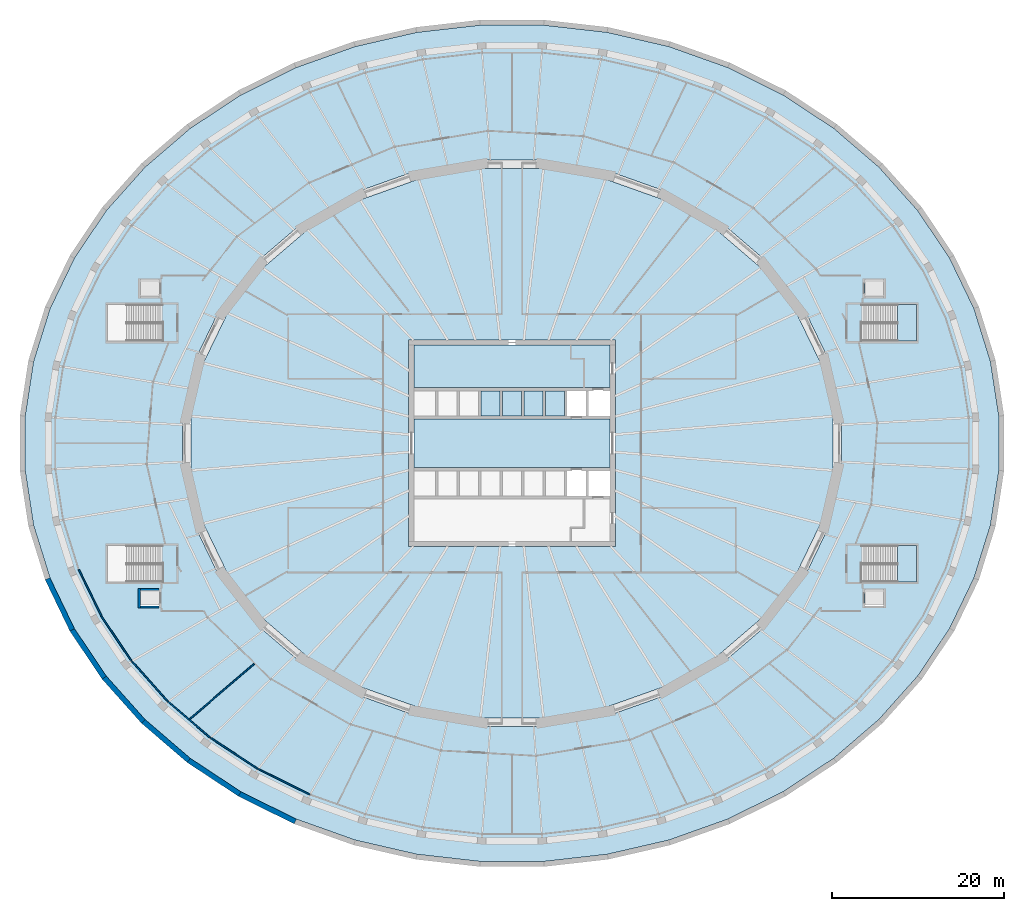
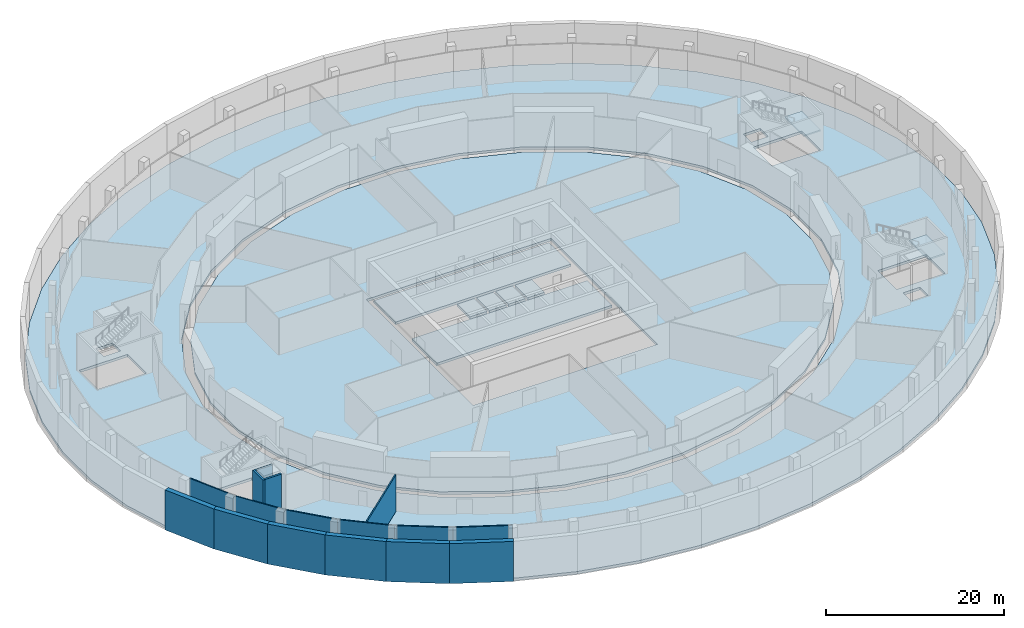
# One storey, part 4 of 14: 16 walls, 10 slabs, 2 elements without a shape of their own.
"""IFC4 building model written with IfcOpenShell, lengths in metres."""

from ifc_helpers import new_model, si_unit, direction, frame, frame_2d, origin, place, context, subcontext, project, spatial, polyline, rectangle, outline, extrude, material, layer, layer_set, type_object, element, aggregate, save


model = new_model("IFC4")

# Units and contexts
model_context = context("Model", 3, precision=1e-05, world=origin(), true_north=direction((0.0, 1.0)))
body_context = subcontext(model_context, "Body", "Model", "MODEL_VIEW")
ifc_project = project(units=[si_unit("LENGTHUNIT", "METRE"), si_unit("AREAUNIT", "SQUARE_METRE"), si_unit("VOLUMEUNIT", "CUBIC_METRE"), si_unit("PLANEANGLEUNIT", "RADIAN"), si_unit("MASSUNIT", "GRAM", prefix="KILO")], contexts=[model_context])

# Site, building, storey
site_placement = place(None, origin())
site = spatial("IfcSite", under=ifc_project, at=site_placement, CompositionType="ELEMENT")
building_placement = place(site_placement, origin())
building = spatial("IfcBuilding", under=site, at=building_placement, Name="Halqa Exchange Tower", CompositionType="ELEMENT")
storey_placement = place(building_placement, frame((0.0, 0.0, -9.5)))
storey = spatial("IfcBuildingStorey", under=building, at=storey_placement, Name="B2", CompositionType="ELEMENT", Elevation=-9.5)

# Slabs
ifc_material_1 = material(Name="Concrete C60/75", Category="concrete")
ifc_layer_1 = layer(ifc_material_1, 0.35009765625)
ifc_layer_set_1 = layer_set([ifc_layer_1], Name="Concrete C60/75")
slab_type_1 = type_object("IfcSlabType", Name="Core floor slab 350", PredefinedType="FLOOR", material=ifc_layer_set_1)
slab_1_placement = place(storey_placement, frame((0.0, 0.0, -0.35009765625)))
element("IfcSlab", 1, at=slab_1_placement, inside=storey, type_object=slab_type_1, Name="Core floor slab", PredefinedType="FLOOR", context=body_context, shape_type="SweptSolid", body=[
    extrude(outline(polyline([(11.39990234375, 2.800048828125), (11.39990234375, -2.800048828125), (-11.39990234375, -2.800048828125), (-11.39990234375, 2.800048828125), (11.39990234375, 2.800048828125)])), origin(), (0.0, 0.0, 1.0), 0.35009765625),
])
slab_2_placement = place(storey_placement, frame((0.0, 0.0, -0.35009765625)))
element("IfcSlab", 2, at=slab_2_placement, inside=storey, type_object=slab_type_1, Name="Core floor slab", PredefinedType="FLOOR", context=body_context, shape_type="SweptSolid", body=[
    extrude(outline(polyline([(11.39990234375, 11.39990234375), (11.39990234375, 6.5), (-11.39990234375, 6.5), (-11.39990234375, 11.39990234375), (11.39990234375, 11.39990234375)])), origin(), (0.0, 0.0, 1.0), 0.35009765625),
])
slab_3_placement = place(storey_placement, frame((0.0, 0.0, -0.35009765625)))
element("IfcSlab", 3, at=slab_3_placement, inside=storey, type_object=slab_type_1, Name="Core floor slab", PredefinedType="FLOOR", context=body_context, shape_type="SweptSolid", body=[
    extrude(outline(polyline([(-1.39990234375, 6.10009765625), (-1.39990234375, 3.199951171875), (-3.60009765625, 3.199951171875), (-3.60009765625, 6.10009765625), (-1.39990234375, 6.10009765625)])), origin(), (0.0, 0.0, 1.0), 0.35009765625),
])
slab_4_placement = place(storey_placement, frame((0.0, 0.0, -0.35009765625)))
element("IfcSlab", 4, at=slab_4_placement, inside=storey, type_object=slab_type_1, Name="Core floor slab", PredefinedType="FLOOR", context=body_context, shape_type="SweptSolid", body=[
    extrude(outline(polyline([(1.10009765625, 6.10009765625), (1.10009765625, 3.199951171875), (-1.10009765625, 3.199951171875), (-1.10009765625, 6.10009765625), (1.10009765625, 6.10009765625)])), origin(), (0.0, 0.0, 1.0), 0.35009765625),
])
slab_5_placement = place(storey_placement, frame((0.0, 0.0, -0.35009765625)))
element("IfcSlab", 5, at=slab_5_placement, inside=storey, type_object=slab_type_1, Name="Core floor slab", PredefinedType="FLOOR", context=body_context, shape_type="SweptSolid", body=[
    extrude(outline(polyline([(3.60009765625, 6.10009765625), (3.60009765625, 3.199951171875), (1.39990234375, 3.199951171875), (1.39990234375, 6.10009765625), (3.60009765625, 6.10009765625)])), origin(), (0.0, 0.0, 1.0), 0.35009765625),
])
slab_6_placement = place(storey_placement, frame((0.0, 0.0, -0.35009765625)))
element("IfcSlab", 6, at=slab_6_placement, inside=storey, type_object=slab_type_1, Name="Core floor slab", PredefinedType="FLOOR", context=body_context, shape_type="SweptSolid", body=[
    extrude(outline(polyline([(6.10009765625, 6.10009765625), (6.10009765625, 3.199951171875), (3.89990234375, 3.199951171875), (3.89990234375, 6.10009765625), (6.10009765625, 6.10009765625)])), origin(), (0.0, 0.0, 1.0), 0.35009765625),
])
ifc_material_2 = material(Name="Concrete C40/50", Category="concrete")
ifc_layer_2 = layer(ifc_material_2, 0.35009765625)
ifc_layer_set_2 = layer_set([ifc_layer_2], Name="Concrete C40/50")
slab_type_2 = type_object("IfcSlabType", Name="RC floor slab 350", PredefinedType="FLOOR", material=ifc_layer_set_2)
slab_7_placement = place(storey_placement, frame((0.0, 0.0, -0.35009765625)))
element("IfcSlab", 7, at=slab_7_placement, inside=storey, type_object=slab_type_2, Name="Floor slab", PredefinedType="FLOOR", context=body_context, shape_type="SweptSolid", body=[
    extrude(outline(polyline([(37.31689453125, 3.13525390625), (37.31689453125, -3.13525390625), (35.88916015625, -9.28759765625), (33.0859375, -15.088623046875), (29.010986328125, -20.316162109375), (23.8173828125, -24.767578125), (17.70361328125, -28.269287109375), (10.904296875, -30.683349609375), (3.682373046875, -31.91455078125), (-3.682373046875, -31.91455078125), (-10.904296875, -30.683349609375), (-17.70361328125, -28.269287109375), (-23.8173828125, -24.767578125), (-29.010986328125, -20.316162109375), (-33.0859375, -15.088623046875), (-35.88916015625, -9.28759765625), (-37.31689453125, -3.13525390625), (-37.31689453125, 3.13525390625), (-35.88916015625, 9.28759765625), (-33.0859375, 15.088623046875), (-29.010986328125, 20.316162109375), (-23.8173828125, 24.767578125), (-17.70361328125, 28.269287109375), (-10.904296875, 30.683349609375), (-3.682373046875, 31.91455078125), (3.682373046875, 31.91455078125), (10.904296875, 30.683349609375), (17.70361328125, 28.269287109375), (23.8173828125, 24.767578125), (29.010986328125, 20.316162109375), (33.0859375, 15.088623046875), (35.88916015625, 9.28759765625), (37.31689453125, 3.13525390625)]), holes=[polyline([(-12.0, -12.0), (12.0, -12.0), (12.0, 12.0), (-12.0, 12.0), (-12.0, -12.0)])]), origin(), (0.0, 0.0, 1.0), 0.35009765625),
])
slab_8_placement = place(storey_placement, frame((0.0, 0.0, -0.35009765625)))
element("IfcSlab", 8, at=slab_8_placement, inside=storey, type_object=slab_type_2, Name="Podium floor slab", PredefinedType="FLOOR", context=body_context, shape_type="SweptSolid", body=[
    extrude(outline(polyline([(56.577880859375, 3.181884765625), (56.577880859375, -3.181884765625), (55.61181640625, -9.49169921875), (53.6953125, -15.64013671875), (50.860595703125, -21.522705078125), (47.15625, -27.03857421875), (42.644287109375, -32.09326171875), (37.401611328125, -36.600341796875), (31.517578125, -40.4814453125), (25.093017578125, -43.670166015625), (18.23779296875, -46.111083984375), (11.0693359375, -47.76220703125), (3.711181640625, -48.59521484375), (-3.711181640625, -48.59521484375), (-11.0693359375, -47.76220703125), (-18.23779296875, -46.111083984375), (-25.093017578125, -43.670166015625), (-31.517578125, -40.4814453125), (-37.401611328125, -36.600341796875), (-42.644287109375, -32.09326171875), (-47.15625, -27.03857421875), (-50.860595703125, -21.522705078125), (-53.6953125, -15.64013671875), (-55.61181640625, -9.49169921875), (-56.577880859375, -3.181884765625), (-56.577880859375, 3.181884765625), (-55.61181640625, 9.49169921875), (-53.6953125, 15.64013671875), (-50.860595703125, 21.522705078125), (-47.15625, 27.03857421875), (-42.644287109375, 32.09326171875), (-37.401611328125, 36.600341796875), (-31.517578125, 40.4814453125), (-25.093017578125, 43.670166015625), (-18.23779296875, 46.111083984375), (-11.0693359375, 47.76220703125), (-3.711181640625, 48.59521484375), (3.711181640625, 48.59521484375), (11.0693359375, 47.76220703125), (18.23779296875, 46.111083984375), (25.093017578125, 43.670166015625), (31.517578125, 40.4814453125), (37.401611328125, 36.600341796875), (42.644287109375, 32.09326171875), (47.15625, 27.03857421875), (50.860595703125, 21.522705078125), (53.6953125, 15.64013671875), (55.61181640625, 9.49169921875), (56.577880859375, 3.181884765625)]), holes=[polyline([(38.31689453125, 3.25), (38.31689453125, -3.25), (36.838134765625, -9.622314453125), (33.93994140625, -15.619384765625), (29.73779296875, -21.010009765625), (24.396484375, -25.58837890625), (18.122802734375, -29.181640625), (11.157470703125, -31.654541015625), (3.76708984375, -32.91455078125), (-3.76708984375, -32.91455078125), (-11.157470703125, -31.654541015625), (-18.122802734375, -29.181640625), (-24.396484375, -25.58837890625), (-29.73779296875, -21.010009765625), (-33.93994140625, -15.619384765625), (-36.838134765625, -9.622314453125), (-38.31689453125, -3.25), (-38.31689453125, 3.25), (-36.838134765625, 9.622314453125), (-33.93994140625, 15.619384765625), (-29.73779296875, 21.010009765625), (-24.396484375, 25.58837890625), (-18.122802734375, 29.181640625), (-11.157470703125, 31.654541015625), (-3.76708984375, 32.91455078125), (3.76708984375, 32.91455078125), (11.157470703125, 31.654541015625), (18.122802734375, 29.181640625), (24.396484375, 25.58837890625), (29.73779296875, 21.010009765625), (33.93994140625, 15.619384765625), (36.838134765625, 9.622314453125), (38.31689453125, 3.25)]), polyline([(40.699951171875, 11.875), (47.0, 11.875), (47.0, 16.125), (40.699951171875, 16.125), (40.699951171875, 11.875)]), polyline([(40.699951171875, -16.125), (47.0, -16.125), (47.0, -11.875), (40.699951171875, -11.875), (40.699951171875, -16.125)]), polyline([(-47.0, 11.875), (-40.699951171875, 11.875), (-40.699951171875, 16.125), (-47.0, 16.125), (-47.0, 11.875)]), polyline([(-47.0, -16.125), (-40.699951171875, -16.125), (-40.699951171875, -11.875), (-47.0, -11.875), (-47.0, -16.125)]), polyline([(41.0, 17.10009765625), (43.199951171875, 17.10009765625), (43.199951171875, 18.89990234375), (41.0, 18.89990234375), (41.0, 17.10009765625)]), polyline([(41.0, -18.89990234375), (43.199951171875, -18.89990234375), (43.199951171875, -17.10009765625), (41.0, -17.10009765625), (41.0, -18.89990234375)]), polyline([(-43.199951171875, 17.10009765625), (-41.0, 17.10009765625), (-41.0, 18.89990234375), (-43.199951171875, 18.89990234375), (-43.199951171875, 17.10009765625)]), polyline([(-43.199951171875, -18.89990234375), (-41.0, -18.89990234375), (-41.0, -17.10009765625), (-43.199951171875, -17.10009765625), (-43.199951171875, -18.89990234375)])]), origin(), (0.0, 0.0, 1.0), 0.35009765625),
])

# Stair, slab
ifc_material_3 = material(Name="Concrete C30/37", Category="concrete")
stair_type = type_object("IfcStairType", Name="Exit stair 2000 wide", PredefinedType="HALF_TURN_STAIR", material=ifc_material_3)
stair_1_placement = place(storey_placement, origin())
stair_1 = element("IfcStair", 9, at=stair_1_placement, inside=storey, type_object=stair_type, Name="Exit stair SS1", PredefinedType="HALF_TURN_STAIR")
ifc_layer_3 = layer(ifc_material_3, 0.199951171875)
ifc_layer_set_3 = layer_set([ifc_layer_3], Name="Concrete C30/37")
slab_type_3 = type_object("IfcSlabType", Name="Stair landing 200 slab", PredefinedType="LANDING", material=ifc_layer_set_3)
slab_9_placement = place(storey_placement, frame((0.0, 0.0, 2.550048828125)))
slab_9 = element("IfcSlab", 10, at=slab_9_placement, type_object=slab_type_3, Name="SS1 landing 1", PredefinedType="LANDING", context=body_context, shape_type="SweptSolid", body=[
    extrude(outline(polyline([(44.800048828125, 11.875), (47.0, 11.875), (47.0, 16.125), (44.800048828125, 16.125), (44.800048828125, 11.875)])), origin(), (0.0, 0.0, 1.0), 0.199951171875),
])
aggregate(stair_1, [slab_9])

stair_2_placement = place(storey_placement, origin())
stair_2 = element("IfcStair", 11, at=stair_2_placement, inside=storey, type_object=stair_type, Name="Exit stair SS2", PredefinedType="HALF_TURN_STAIR")
slab_10_placement = place(storey_placement, frame((0.0, 0.0, 2.550048828125)))
slab_10 = element("IfcSlab", 12, at=slab_10_placement, type_object=slab_type_3, Name="SS2 landing 1", PredefinedType="LANDING", context=body_context, shape_type="SweptSolid", body=[
    extrude(outline(polyline([(44.800048828125, -16.125), (47.0, -16.125), (47.0, -11.875), (44.800048828125, -11.875), (44.800048828125, -16.125)])), origin(), (0.0, 0.0, 1.0), 0.199951171875),
])
aggregate(stair_2, [slab_10])

# Walls
ifc_material_4 = material(Name="Fire-rated gypsum board")
ifc_layer_4 = layer(ifc_material_4, 0.14990234375)
ifc_layer_set_4 = layer_set([ifc_layer_4], Name="Fire-rated gypsum board")
wall_type_1 = type_object("IfcWallType", Name="Fire partition EI 60 150", PredefinedType="PARTITIONING", material=ifc_layer_set_4)
wall_1_placement = place(storey_placement, frame((-47.716552734375, -20.059814453125, 0.0), z_axis=(0.0, 0.0, 1.0), x_axis=(-0.439136399297, 0.898420404272, 0.0)))
element("IfcWall", 13, at=wall_1_placement, inside=storey, type_object=wall_type_1, Name="B2-PWL-008", PredefinedType="PARTITIONING", context=body_context, shape_type="SweptSolid", body=[
    extrude(rectangle(XDim=5.998291015625, YDim=0.14990234375, at=frame_2d((2.9990234375, 0.0))), origin(), (0.0, 0.0, 1.0), 5.050048828125),
])
wall_2_placement = place(storey_placement, frame((-44.220703125, -25.302978515625, 0.0), z_axis=(0.0, 0.0, 1.0), x_axis=(-0.558802536785, 0.829300744533, 0.0)))
element("IfcWall", 14, at=wall_2_placement, inside=storey, type_object=wall_type_1, Name="B2-PWL-009", PredefinedType="PARTITIONING", context=body_context, shape_type="SweptSolid", body=[
    extrude(rectangle(XDim=6.30712890625, YDim=0.14990234375, at=frame_2d((3.153564453125, 0.0))), origin(), (0.0, 0.0, 1.0), 5.050048828125),
])
wall_3_placement = place(storey_placement, frame((-39.981201171875, -30.015380859375, 0.0), z_axis=(0.0, 0.0, 1.0), x_axis=(-0.6673947824, 0.744704105283, 0.0)))
element("IfcWall", 15, at=wall_3_placement, inside=storey, type_object=wall_type_1, Name="B2-PWL-020", PredefinedType="PARTITIONING", context=body_context, shape_type="SweptSolid", body=[
    extrude(rectangle(XDim=6.338134765625, YDim=0.14990234375, at=frame_2d((3.1689453125, 0.0))), origin(), (0.0, 0.0, 1.0), 5.050048828125),
])
wall_4_placement = place(storey_placement, frame((-39.97314453125, -30.00732421875, 0.0), z_axis=(0.0, 0.0, 1.0), x_axis=(0.759038455419, -0.651045791934, 0.0)))
element("IfcWall", 16, at=wall_4_placement, inside=storey, type_object=wall_type_1, Name="B2-PWL-021", PredefinedType="PARTITIONING", context=body_context, shape_type="SweptSolid", body=[
    extrude(rectangle(XDim=6.479248046875, YDim=0.14990234375, at=frame_2d((3.23974609375, 0.0))), origin(), (0.0, 0.0, 1.0), 5.050048828125),
])
wall_5_placement = place(storey_placement, frame((-29.956298828125, -25.628173828125, 0.0), z_axis=(0.0, 0.0, 1.0), x_axis=(-0.759329804597, -0.650705961131, 0.0)))
element("IfcWall", 17, at=wall_5_placement, inside=storey, type_object=wall_type_1, Name="B2-PWL-033", PredefinedType="PARTITIONING", context=body_context, shape_type="SweptSolid", body=[
    extrude(outline(polyline([(0.006591796875, -0.074951171875), (9.898681640625, -0.074951171875), (9.875732421875, 0.074951171875), (-0.006591796875, 0.074951171875), (0.006591796875, -0.074951171875)])), origin(), (0.0, 0.0, 1.0), 5.050048828125),
])
wall_6_placement = place(storey_placement, frame((-29.528564453125, -37.846923828125, 0.0), z_axis=(0.0, 0.0, 1.0), x_axis=(-0.83553583791, 0.549435950378, 0.0)))
element("IfcWall", 18, at=wall_6_placement, inside=storey, type_object=wall_type_1, Name="B2-PWL-035", PredefinedType="PARTITIONING", context=body_context, shape_type="SweptSolid", body=[
    extrude(rectangle(XDim=6.6064453125, YDim=0.14990234375, at=frame_2d((3.30322265625, 0.0))), origin(), (0.0, 0.0, 1.0), 5.050048828125),
])
wall_7_placement = place(storey_placement, frame((-23.493408203125, -40.827880859375, 0.0), z_axis=(0.0, 0.0, 1.0), x_axis=(-0.895909442692, 0.444236727991, 0.0)))
element("IfcWall", 19, at=wall_7_placement, inside=storey, type_object=wall_type_1, Name="B2-PWL-047", PredefinedType="PARTITIONING", context=body_context, shape_type="SweptSolid", body=[
    extrude(rectangle(XDim=6.730712890625, YDim=0.14990234375, at=frame_2d((3.365234375, 0.0))), origin(), (0.0, 0.0, 1.0), 5.050048828125),
])
ifc_material_5 = material(Name="Gypsum board")
ifc_layer_5 = layer(ifc_material_5, 0.25)
ifc_layer_set_5 = layer_set([ifc_layer_5], Name="Gypsum board")
wall_type_2 = type_object("IfcWallType", Name="Penthouse riser wall 250 gypsum", PredefinedType="PARTITIONING", material=ifc_layer_set_5)
wall_8_placement = place(storey_placement, frame((-43.324951171875, -19.14990234375, 0.0), z_axis=(0.0, 0.0, 1.0), x_axis=(0.0, 1.0, 0.0)))
element("IfcWall", 20, at=wall_8_placement, inside=storey, type_object=wall_type_2, Name="Station lift AL4 wall west", PredefinedType="PARTITIONING", context=body_context, shape_type="SweptSolid", body=[
    extrude(rectangle(XDim=2.2998046875, YDim=0.25, at=frame_2d((1.14990234375, 0.0))), origin(), (0.0, 0.0, 1.0), 5.050048828125),
])
for number, where, z_axis, x_axis, name in (
    (21, (-43.199951171875, -16.97509765625, 0.0), (0.0, 0.0, 1.0), (1.0, 0.0, 0.0), "Station lift AL4 wall north"),
    (22, (-43.199951171875, -19.02490234375, 0.0), (0.0, 0.0, 1.0), (1.0, 0.0, 0.0), "Station lift AL4 wall south"),
):
    element("IfcWall", number, at=place(storey_placement, frame(where, z_axis=z_axis, x_axis=x_axis)), inside=storey, type_object=wall_type_2, Name=name, PredefinedType="PARTITIONING", context=body_context, shape_type="SweptSolid", body=[
        extrude(rectangle(XDim=2.199951171875, YDim=0.25, at=frame_2d((1.10009765625, 0.0))), origin(), (0.0, 0.0, 1.0), 5.050048828125),
    ])
ifc_layer_6 = layer(ifc_material_2, 0.60009765625)
ifc_layer_set_6 = layer_set([ifc_layer_6], Name="Concrete C40/50")
wall_type_3 = type_object("IfcWallType", Name="RC basement wall 600", PredefinedType="SOLIDWALL", material=ifc_layer_set_6)
wall_9_placement = place(storey_placement, frame((-53.984619140625, -15.730712890625, 0.0), z_axis=(0.0, 0.0, 1.0), x_axis=(0.434104041315, -0.900862742772, 0.0)))
element("IfcWall", 23, at=wall_9_placement, inside=storey, type_object=wall_type_3, Name="Basement retaining wall", PredefinedType="SOLIDWALL", context=body_context, shape_type="SweptSolid", body=[
    extrude(rectangle(XDim=6.61669921875, YDim=0.60009765625, at=frame_2d((3.308349609375, 0.0))), origin(), (0.0, 0.0, 1.0), 5.5),
])
wall_10_placement = place(storey_placement, frame((-51.133544921875, -21.654296875, 0.0), z_axis=(0.0, 0.0, 1.0), x_axis=(0.557518861869, -0.830164272093, 0.0)))
element("IfcWall", 24, at=wall_10_placement, inside=storey, type_object=wall_type_3, Name="Basement retaining wall", PredefinedType="SOLIDWALL", context=body_context, shape_type="SweptSolid", body=[
    extrude(rectangle(XDim=6.728515625, YDim=0.60009765625, at=frame_2d((3.3642578125, 0.0))), origin(), (0.0, 0.0, 1.0), 5.5),
])
wall_11_placement = place(storey_placement, frame((-47.407470703125, -27.20751953125, 0.0), z_axis=(0.0, 0.0, 1.0), x_axis=(0.665894053378, -0.74604631872, 0.0)))
element("IfcWall", 25, at=wall_11_placement, inside=storey, type_object=wall_type_3, Name="Basement retaining wall", PredefinedType="SOLIDWALL", context=body_context, shape_type="SweptSolid", body=[
    extrude(rectangle(XDim=6.8564453125, YDim=0.60009765625, at=frame_2d((3.42822265625, 0.0))), origin(), (0.0, 0.0, 1.0), 5.5),
])
wall_12_placement = place(storey_placement, frame((-42.869873046875, -32.294921875, 0.0), z_axis=(0.0, 0.0, 1.0), x_axis=(0.758319142722, -0.65188348482, 0.0)))
element("IfcWall", 26, at=wall_12_placement, inside=storey, type_object=wall_type_3, Name="Basement retaining wall", PredefinedType="SOLIDWALL", context=body_context, shape_type="SweptSolid", body=[
    extrude(rectangle(XDim=6.991455078125, YDim=0.60009765625, at=frame_2d((3.49560546875, 0.0))), origin(), (0.0, 0.0, 1.0), 5.5),
])
wall_13_placement = place(storey_placement, frame((-37.5986328125, -36.82958984375, 0.0), z_axis=(0.0, 0.0, 1.0), x_axis=(0.834745196239, -0.550636411215, 0.0)))
element("IfcWall", 27, at=wall_13_placement, inside=storey, type_object=wall_type_3, Name="Basement retaining wall", PredefinedType="SOLIDWALL", context=body_context, shape_type="SweptSolid", body=[
    extrude(rectangle(XDim=7.123779296875, YDim=0.60009765625, at=frame_2d((3.56201171875, 0.0))), origin(), (0.0, 0.0, 1.0), 5.5),
])
wall_14_placement = place(storey_placement, frame((-31.68408203125, -40.73388671875, 0.0), z_axis=(0.0, 0.0, 1.0), x_axis=(0.895750986496, -0.44455614965, 0.0)))
element("IfcWall", 28, at=wall_14_placement, inside=storey, type_object=wall_type_3, Name="Basement retaining wall", PredefinedType="SOLIDWALL", context=body_context, shape_type="SweptSolid", body=[
    extrude(rectangle(XDim=7.244873046875, YDim=0.60009765625, at=frame_2d((3.62255859375, 0.0))), origin(), (0.0, 0.0, 1.0), 5.5),
])

save(model, "model.ifc")
